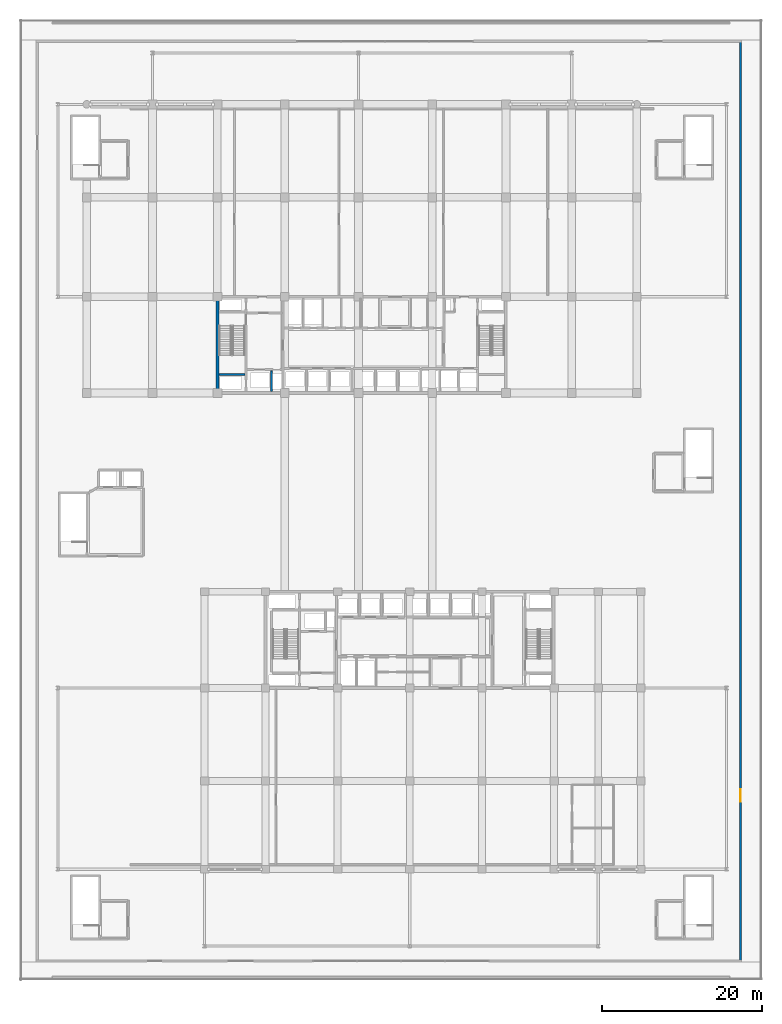
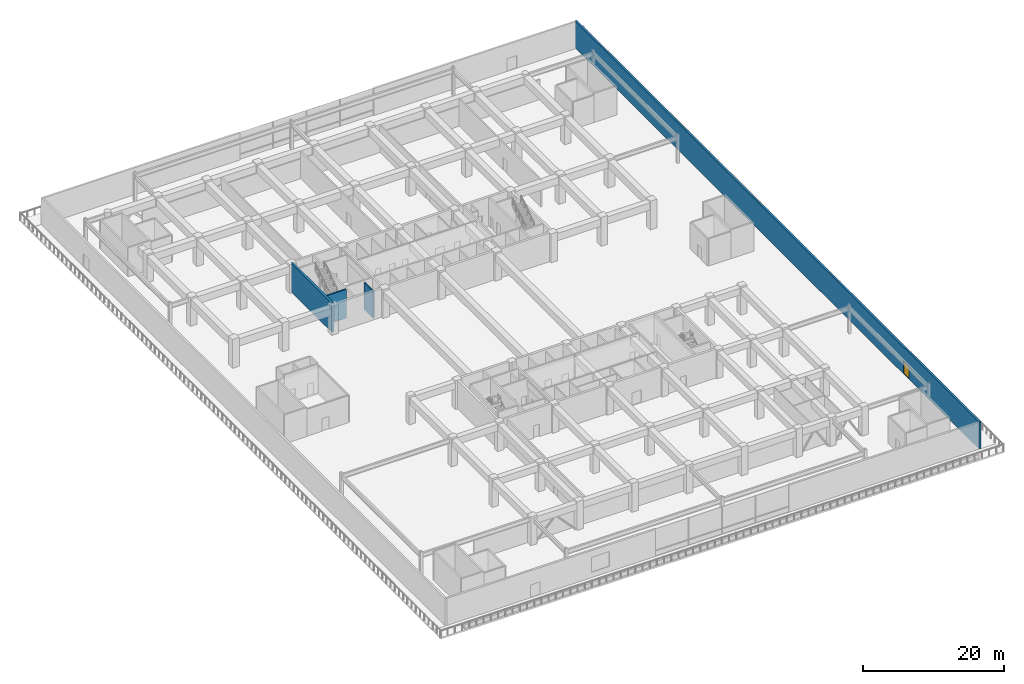
# One storey, part 27 of 38: 4 walls, 1 door, 1 opening.
"""IFC4 building model written with IfcOpenShell, lengths in metres."""

import ifcopenshell
import ifcopenshell.guid

model = None  # the IFC model being written
_history = None  # IfcOwnerHistory: only IFC2X3 demands one
_inside = {}  # id of a spatial element -> (the spatial element, [elements in it])
_under = {}  # id of a project, library or spatial element -> (it, [spatial elements below it])
_declared = {}  # id of a project -> (the project, [libraries it declares])
_typed = {}  # id of a type object -> (the type object, [elements of that type])
_made_of = {}  # id of a material, layer set ... -> (it, [elements and type objects made of it])


def new_model(schema):
    """Start an empty IFC model of exactly this schema.

    Asked for "IFC4X3", IfcOpenShell would pick the latest addendum, in which some entities
    have other attributes; the version numbers below select the first issue.
    IFC2X3 requires an IfcOwnerHistory on every rooted entity: one is made here for all.
    """
    global model, _history
    if schema == "IFC4X3":
        model = ifcopenshell.file(schema_version=(4, 3, 0, 0))
    else:
        model = ifcopenshell.file(schema=schema)
    _inside.clear()
    _under.clear()
    _declared.clear()
    _typed.clear()
    _made_of.clear()
    _history = None
    if model.schema == "IFC2X3":
        org = make("IfcOrganization", Name="unknown")
        user = make(
            "IfcPersonAndOrganization",
            ThePerson=make("IfcPerson", FamilyName="unknown"),
            TheOrganization=org,
        )
        app = make(
            "IfcApplication",
            ApplicationDeveloper=org,
            Version="unknown",
            ApplicationFullName="unknown",
            ApplicationIdentifier="unknown",
        )
        _history = make(
            "IfcOwnerHistory",
            OwningUser=user,
            OwningApplication=app,
            ChangeAction="ADDED",
            CreationDate=0,
        )
    return model


def make(cls, **values):
    """One entity of the class cls with the attributes given. An attribute that is None is left unset."""
    return model.create_entity(
        cls, **{name: value for name, value in values.items() if value is not None}
    )


def rooted(cls, **values):
    """An entity with a GlobalId (a new one), such as an element, a storey or a relation."""
    return make(cls, GlobalId=ifcopenshell.guid.new(), OwnerHistory=_history, **values)


def si_unit(unit_type, name, prefix=None):
    """IfcSIUnit, for example si_unit("LENGTHUNIT", "METRE", prefix="MILLI")."""
    return make("IfcSIUnit", UnitType=unit_type, Prefix=prefix, Name=name)


def assignment(units):
    """IfcUnitAssignment: the units of a project."""
    return None if units is None else make("IfcUnitAssignment", Units=units)


def point(xyz):
    """IfcCartesianPoint."""
    return None if xyz is None else make("IfcCartesianPoint", Coordinates=xyz)


def direction(xyz):
    """IfcDirection."""
    return None if xyz is None else make("IfcDirection", DirectionRatios=xyz)


def frame(location, z_axis=None, x_axis=None):
    """IfcAxis2Placement3D, a coordinate frame: its origin and axes. An axis left out is left unset."""
    return make(
        "IfcAxis2Placement3D",
        Location=point(location),
        Axis=direction(z_axis),
        RefDirection=direction(x_axis),
    )


def frame_2d(location, x_axis=None):
    """IfcAxis2Placement2D, a coordinate frame in the plane: its origin and x axis."""
    return make(
        "IfcAxis2Placement2D", Location=point(location), RefDirection=direction(x_axis)
    )


def origin():
    """The frame at (0, 0, 0) with its axes left unset."""
    return frame((0.0, 0.0, 0.0))


def place(relative_to, where):
    """IfcLocalPlacement: puts the frame where relative to a parent placement (None: the world)."""
    return make(
        "IfcLocalPlacement", PlacementRelTo=relative_to, RelativePlacement=where
    )


def context(
    kind, dimensions, precision=None, world=None, true_north=None, identifier=None
):
    """IfcGeometricRepresentationContext, for example the 3D "Model" context."""
    return make(
        "IfcGeometricRepresentationContext",
        ContextIdentifier=identifier,
        ContextType=kind,
        CoordinateSpaceDimension=dimensions,
        Precision=precision,
        WorldCoordinateSystem=world,
        TrueNorth=true_north,
    )


def subcontext(parent, identifier, kind, view, scale=None):
    """IfcGeometricRepresentationSubContext, for example "Body" below "Model"."""
    return make(
        "IfcGeometricRepresentationSubContext",
        ContextIdentifier=identifier,
        ContextType=kind,
        ParentContext=parent,
        TargetScale=scale,
        TargetView=view,
    )


def project(units=None, contexts=None):
    """IfcProject with its units and contexts."""
    return rooted(
        "IfcProject",
        Name="project",
        RepresentationContexts=contexts,
        UnitsInContext=assignment(units),
    )


def spatial(cls, under=None, at=None, **own):
    """A site, building, storey or space (cls), placed at a placement, below another one or the project."""
    s = rooted(cls, ObjectPlacement=at, **own)
    if under is not None:
        _under.setdefault(under.id(), (under, []))[1].append(s)
    return s


def profile(cls, at=None, kind="AREA", **sizes):
    """A parametric profile (cls). Its sizes go by their IFC names, for example OverallWidth=200.0."""
    return make(cls, ProfileType=kind, Position=at, **sizes)


def rectangle(**sizes):
    """IfcRectangleProfileDef."""
    return profile("IfcRectangleProfileDef", **sizes)


def extrude(swept, where, along, depth):
    """IfcExtrudedAreaSolid: the profile swept, set in the frame where, extruded along a direction by depth."""
    return make(
        "IfcExtrudedAreaSolid",
        SweptArea=swept,
        Position=where,
        ExtrudedDirection=direction(along),
        Depth=depth,
    )


def shape(context_of_items, identifier, shape_type, items):
    """IfcShapeRepresentation: the items that make up one representation, for example the "Body"."""
    return make(
        "IfcShapeRepresentation",
        ContextOfItems=context_of_items,
        RepresentationIdentifier=identifier,
        RepresentationType=shape_type,
        Items=items,
    )


def material(Name=None, Category=None):
    """IfcMaterial."""
    return make("IfcMaterial", Name=Name, Category=Category)


def layer(
    of_material, thickness, ventilated=None, Name=None, Category=None, Priority=None
):
    """IfcMaterialLayer: one layer of a wall or slab, of a material (None: an air gap)."""
    return make(
        "IfcMaterialLayer",
        Material=of_material,
        LayerThickness=thickness,
        IsVentilated=ventilated,
        Name=Name,
        Category=Category,
        Priority=Priority,
    )


def layer_set(layers, Name=None):
    """IfcMaterialLayerSet."""
    return make("IfcMaterialLayerSet", MaterialLayers=layers, LayerSetName=Name)


def made_of(thing, what):
    """Note that an element or type object is made of a material, layer set ...; save() writes the relation."""
    if what is not None:
        _made_of.setdefault(what.id(), (what, []))[1].append(thing)
    return thing


def type_object(cls, material=None, **own):
    """A type object (cls), such as IfcWallType, which elements share."""
    return made_of(rooted(cls, **own), material)


def element(
    cls,
    number,
    at=None,
    inside=None,
    cuts=None,
    type_object=None,
    material=None,
    context=None,
    identifier="Body",
    shape_type=None,
    held_by="IfcProductDefinitionShape",
    body=None,
    shapes=None,
    **own,
):
    """One element of the class cls, such as IfcWall. Its Tag is "e" and its number.

    at: its placement. inside: the storey or other place that contains it. cuts: it is an
    opening in that element (IfcRelVoidsElement). A single representation is given by context,
    identifier, shape_type and body (its items); several are given by shapes. held_by: the class
    of the entity that holds the representations. save() writes the other relations.
    """
    e = rooted(cls, Tag="e%d" % number, ObjectPlacement=at, **own)
    if body is not None:
        shapes = [shape(context, identifier, shape_type, body)]
    if shapes is not None:
        e.Representation = make(held_by, Representations=shapes)
    if inside is not None:
        _inside.setdefault(inside.id(), (inside, []))[1].append(e)
    if cuts is not None:
        rooted(
            "IfcRelVoidsElement", RelatingBuildingElement=cuts, RelatedOpeningElement=e
        )
    if type_object is not None:
        _typed.setdefault(type_object.id(), (type_object, []))[1].append(e)
    return made_of(e, material)


def fill(opening, filler):
    """IfcRelFillsElement: the door or window that sits in an opening."""
    return rooted(
        "IfcRelFillsElement",
        RelatingOpeningElement=opening,
        RelatedBuildingElement=filler,
    )


def aggregate(whole, parts):
    """IfcRelAggregates: a whole, such as a stair, and the parts it consists of."""
    return rooted("IfcRelAggregates", RelatingObject=whole, RelatedObjects=parts)


def save(model, path):
    """Write the relations noted so far, then the file.

    IfcRelAggregates (storeys below a building ...), IfcRelContainedInSpatialStructure (elements
    in a storey), IfcRelDefinesByType, IfcRelAssociatesMaterial and IfcRelDeclares: one each for
    every whole, place, type object, material and project.
    """
    for whole, parts in _under.values():
        aggregate(whole, parts)
    for where, things in _inside.values():
        rooted(
            "IfcRelContainedInSpatialStructure",
            RelatedElements=things,
            RelatingStructure=where,
        )
    for kind, things in _typed.values():
        rooted("IfcRelDefinesByType", RelatedObjects=things, RelatingType=kind)
    for what, things in _made_of.values():
        rooted("IfcRelAssociatesMaterial", RelatedObjects=things, RelatingMaterial=what)
    for by, libraries in _declared.values():
        rooted("IfcRelDeclares", RelatingContext=by, RelatedDefinitions=libraries)
    model.write(path)


model = new_model("IFC4")

# Units and contexts
model_context = context("Model", 3, precision=1e-05, world=origin(), true_north=direction((0.0, 1.0)))
body_context = subcontext(model_context, "Body", "Model", "MODEL_VIEW")
ifc_project = project(units=[si_unit("LENGTHUNIT", "METRE"), si_unit("AREAUNIT", "SQUARE_METRE"), si_unit("VOLUMEUNIT", "CUBIC_METRE"), si_unit("PLANEANGLEUNIT", "RADIAN"), si_unit("MASSUNIT", "GRAM", prefix="KILO")], contexts=[model_context])

# Site, building, storey
site_placement = place(None, origin())
site = spatial("IfcSite", under=ifc_project, at=site_placement, CompositionType="ELEMENT")
building_placement = place(site_placement, origin())
building = spatial("IfcBuilding", under=site, at=building_placement, Name="Korimba Cascade Residences", CompositionType="ELEMENT")
storey_placement = place(building_placement, frame((0.0, 0.0, 19.0)))
storey = spatial("IfcBuildingStorey", under=building, at=storey_placement, Name="L04", CompositionType="ELEMENT", Elevation=19.0)

# Wall, opening, door
ifc_material_1 = material(Name="Precast concrete C40/50", Category="concrete")
ifc_layer_1 = layer(ifc_material_1, 0.300048828125)
ifc_layer_set_1 = layer_set([ifc_layer_1], Name="Precast concrete C40/50")
wall_type_1 = type_object("IfcWallType", Name="EW-STONE-300", PredefinedType="STANDARD", material=ifc_layer_set_1)
wall_1_placement = place(storey_placement, frame((141.35009765625, -15.800048828125, 0.0), z_axis=(0.0, 0.0, 1.0), x_axis=(0.0, 1.0, 0.0)))
wall_1 = element("IfcWall", 1, at=wall_1_placement, inside=storey, type_object=wall_type_1, Name="L04 East Podium Wall", PredefinedType="STANDARD", context=body_context, shape_type="SweptSolid", body=[
    extrude(rectangle(XDim=115.0, YDim=0.300048828125, at=frame_2d((57.5, 0.0))), origin(), (0.0, 0.0, 1.0), 4.679931640625),
])
opening_placement = place(wall_1_placement, frame((20.0, 0.0, 0.0)))
opening = element("IfcOpeningElement", 2, at=opening_placement, cuts=wall_1, Name="Opening D-TR1", PredefinedType="OPENING", context=body_context, shape_type="SweptSolid", body=[
    extrude(rectangle(XDim=1.60009765625, YDim=2.199951171875, at=frame_2d((0.800048828125, 1.10009765625))), frame((0.0, 0.16015625, 0.0), z_axis=(0.0, -1.0, 0.0), x_axis=(1.0, 0.0, 0.0)), (0.0, 0.0, 1.0), 0.320068359375),
])
ifc_material_2 = material(Name="Glazed Aluminium Terrace Door", Category="aluminium")
door_type = type_object("IfcDoorType", Name="DR-EXT-TER", OperationType="NOTDEFINED", PredefinedType="DOOR", material=ifc_material_2)
door_placement = place(opening_placement, frame((1.60009765625, 0.0, 0.0), z_axis=(0.0, 0.0, 1.0), x_axis=(-1.0, 0.0, 0.0)))
door = element("IfcDoor", 3, at=door_placement, inside=storey, type_object=door_type, Name="L04 East Terrace Access Door", OperationType="DOUBLE_DOOR_SINGLE_SWING", OverallHeight=2.199951171875, OverallWidth=1.60009765625, PredefinedType="DOOR", context=body_context, shape_type="SweptSolid", body=[
    extrude(rectangle(XDim=1.60009765625, YDim=2.199951171875, at=frame_2d((0.800048828125, 1.10009765625))), frame((0.0, 0.02490234375, 0.0), z_axis=(0.0, -1.0, 0.0), x_axis=(1.0, 0.0, 0.0)), (0.0, 0.0, 1.0), 0.050048828125),
])
fill(opening, door)

# Walls
ifc_material_3 = material(Name="Concrete C65/80", Category="concrete")
ifc_layer_2 = layer(ifc_material_3, 0.35009765625)
ifc_layer_set_2 = layer_set([ifc_layer_2], Name="Concrete C65/80")
wall_type_2 = type_object("IfcWallType", Name="WAL-CORE-350", PredefinedType="SHEAR", material=ifc_layer_set_2)
wall_2_placement = place(storey_placement, frame((76.125, 55.375, 0.0), z_axis=(0.0, 0.0, 1.0), x_axis=(0.0, 1.0, 0.0)))
element("IfcWall", 4, at=wall_2_placement, inside=storey, type_object=wall_type_2, Name="L04 Core Shear Wall CW-L04-T1-W", PredefinedType="SHEAR", context=body_context, shape_type="SweptSolid", body=[
    extrude(rectangle(XDim=11.64990234375, YDim=0.35009765625, at=frame_2d((5.824951171875, 0.0))), origin(), (0.0, 0.0, 1.0), 5.0),
])
ifc_material_4 = material(Name="Concrete C40/50", Category="concrete")
ifc_layer_3 = layer(ifc_material_4, 0.199951171875)
ifc_layer_set_3 = layer_set([ifc_layer_3], Name="Concrete C40/50")
wall_type_3 = type_object("IfcWallType", Name="WAL-PART-200", PredefinedType="PARTITIONING", material=ifc_layer_set_3)
wall_3_placement = place(storey_placement, frame((82.85009765625, 55.39990234375, 0.0), z_axis=(0.0, 0.0, 1.0), x_axis=(0.0, 1.0, 0.0)))
element("IfcWall", 5, at=wall_3_placement, inside=storey, type_object=wall_type_3, Name="L04 Partition Wall CW-L04-T1-FFLDIV", PredefinedType="PARTITIONING", context=body_context, shape_type="SweptSolid", body=[
    extrude(rectangle(XDim=2.56005859375, YDim=0.199951171875, at=frame_2d((1.280029296875, 0.0))), origin(), (0.0, 0.0, 1.0), 4.679931640625),
])
ifc_material_5 = material(Name="Concrete C50/60", Category="concrete")
ifc_layer_4 = layer(ifc_material_5, 0.25)
ifc_layer_set_4 = layer_set([ifc_layer_4], Name="Concrete C50/60")
wall_type_4 = type_object("IfcWallType", Name="WAL-SHAFT-250", PredefinedType="SHEAR", material=ifc_layer_set_4)
wall_4_placement = place(storey_placement, frame((76.300048828125, 57.47509765625, 0.0), z_axis=(0.0, 0.0, 1.0), x_axis=(1.0, 0.0, 0.0)))
element("IfcWall", 6, at=wall_4_placement, inside=storey, type_object=wall_type_4, Name="L04 Core Shear Wall CW-L04-T1-STW1S", PredefinedType="SHEAR", context=body_context, shape_type="SweptSolid", body=[
    extrude(rectangle(XDim=3.239990234375, YDim=0.25, at=frame_2d((1.6201171875, 0.0))), origin(), (0.0, 0.0, 1.0), 5.0),
])

save(model, "model.ifc")
